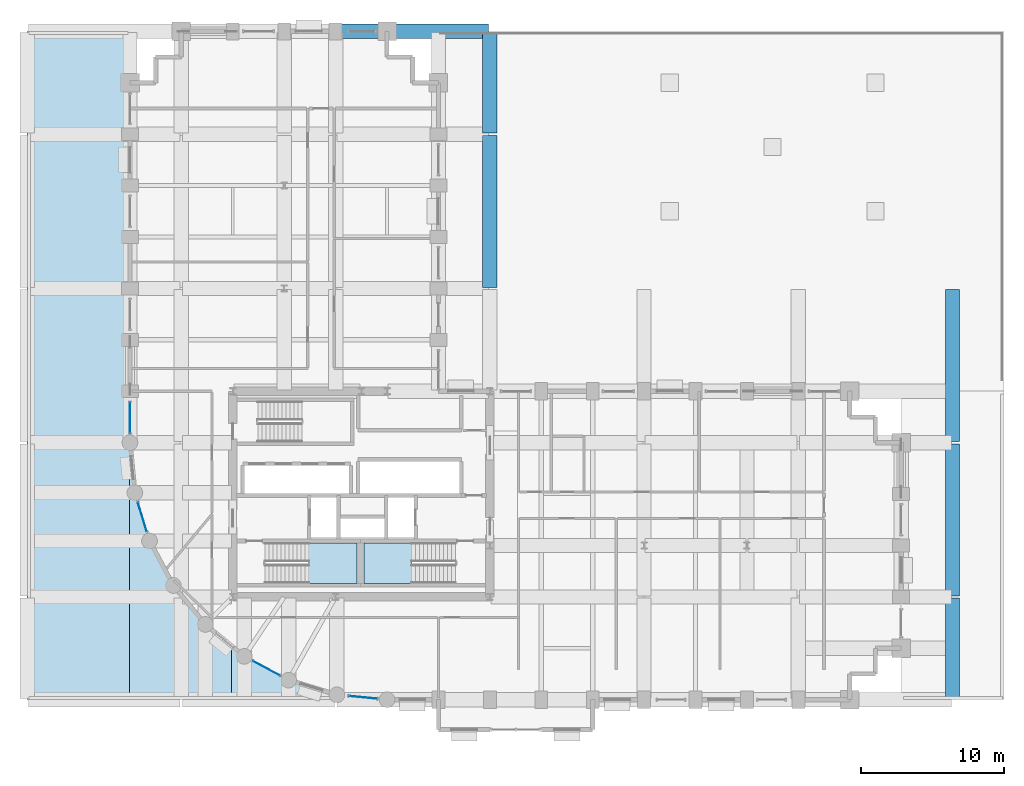
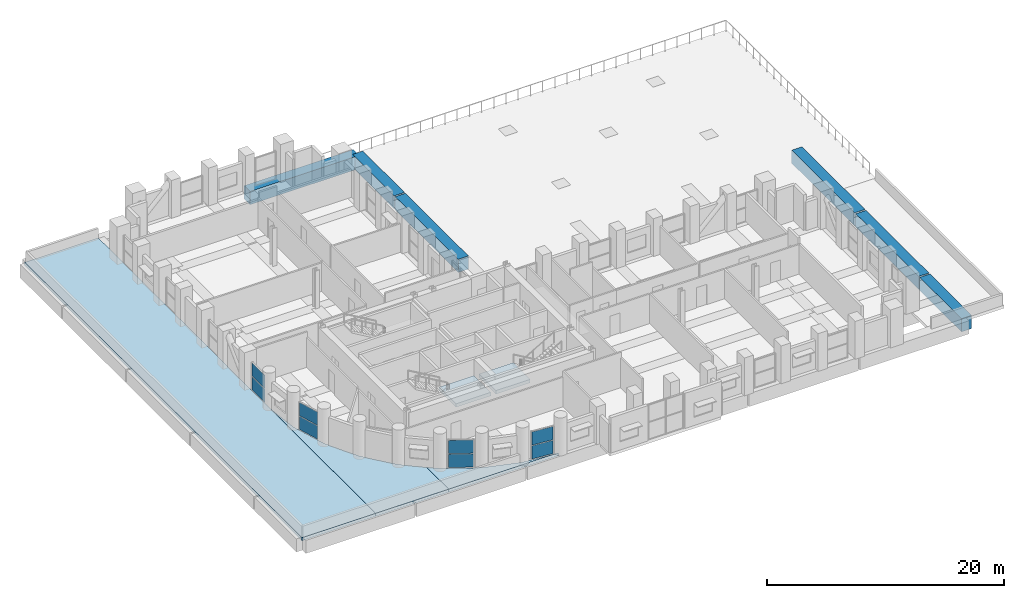
# One storey, part 30 of 39: 8 plates, 6 beams, 5 slabs, 6 elements without a shape of their own.
"""IFC4 building model written with IfcOpenShell, lengths in metres."""

from ifc_helpers import new_model, si_unit, direction, frame, origin, origin_2d, place, context, subcontext, project, spatial, polyline, rectangle, outline, extrude, material, layer, layer_set, material_profile, profile_set, type_object, element, aggregate, save


model = new_model("IFC4")

# Units and contexts
model_context = context("Model", 3, precision=1e-05, world=origin(), true_north=direction((0.0, 1.0)))
body_context = subcontext(model_context, "Body", "Model", "MODEL_VIEW")
ifc_project = project(units=[si_unit("LENGTHUNIT", "METRE"), si_unit("AREAUNIT", "SQUARE_METRE"), si_unit("VOLUMEUNIT", "CUBIC_METRE"), si_unit("PLANEANGLEUNIT", "RADIAN"), si_unit("MASSUNIT", "GRAM", prefix="KILO")], contexts=[model_context])

# Site, building, storey
site_placement = place(None, origin())
site = spatial("IfcSite", under=ifc_project, at=site_placement, CompositionType="ELEMENT")
building_placement = place(site_placement, origin())
building = spatial("IfcBuilding", under=site, at=building_placement, Name="Solnavia Interchange Tower", CompositionType="ELEMENT")
storey_placement = place(building_placement, frame((0.0, 0.0, 24.0)))
storey = spatial("IfcBuildingStorey", under=building, at=storey_placement, Name="L05", CompositionType="ELEMENT", Elevation=24.0)

# Beams
ifc_material_1 = material(Name="Concrete C60/75", Category="concrete")
ifc_material_profile = material_profile(ifc_material_1, rectangle(XDim=1.0, YDim=1.35009765625, at=origin_2d()), Name="RC 1000x1350")
ifc_profile_set = profile_set([ifc_material_profile], Name="Concrete C60/75")
beam_type = type_object("IfcBeamType", Name="Beam-Transfer-RC1000x1350", PredefinedType="BEAM", material=ifc_profile_set)
for number, where, z_axis, x_axis, name in (
    (1, (21.679931640625, 50.39990234375, -0.675048828125), (1.0, 0.0, 0.0), (0.0, 1.0, 0.0), "TRB-L05-29 North primary transfer girder"),
    (2, (32.39990234375, 32.47998046875, -0.675048828125), (0.0, 1.0, 0.0), (-1.0, 0.0, 0.0), "TRB-L05-44 North-east N-S primary transfer girder"),
):
    element("IfcBeam", number, at=place(storey_placement, frame(where, z_axis=z_axis, x_axis=x_axis)), inside=storey, type_object=beam_type, Name=name, PredefinedType="BEAM", context=body_context, shape_type="SweptSolid", body=[
        extrude(rectangle(XDim=1.0, YDim=1.35009765625, at=origin_2d()), origin(), (0.0, 0.0, 1.0), 10.64013671875),
    ])
for number, where, z_axis, x_axis, name in (
    (3, (32.39990234375, 43.280029296875, -0.675048828125), (0.0, 1.0, 0.0), (-1.0, 0.0, 0.0), "TRB-L05-45 North-east N-S primary transfer girder"),
    (4, (64.800048828125, 3.679931640625, -0.675048828125), (0.0, 1.0, 0.0), (-1.0, 0.0, 0.0), "TRB-L05-52 East N-S primary transfer girder"),
):
    element("IfcBeam", number, at=place(storey_placement, frame(where, z_axis=z_axis, x_axis=x_axis)), inside=storey, type_object=beam_type, Name=name, PredefinedType="BEAM", context=body_context, shape_type="SweptSolid", body=[
        extrude(rectangle(XDim=1.0, YDim=1.35009765625, at=origin_2d()), origin(), (0.0, 0.0, 1.0), 7.0400390625),
    ])
for number, where, z_axis, x_axis, name in (
    (5, (64.800048828125, 10.8798828125, -0.675048828125), (0.0, 1.0, 0.0), (-1.0, 0.0, 0.0), "TRB-L05-53 East N-S primary transfer girder"),
    (6, (64.800048828125, 21.679931640625, -0.675048828125), (0.0, 1.0, 0.0), (-1.0, 0.0, 0.0), "TRB-L05-54 East N-S primary transfer girder"),
):
    element("IfcBeam", number, at=place(storey_placement, frame(where, z_axis=z_axis, x_axis=x_axis)), inside=storey, type_object=beam_type, Name=name, PredefinedType="BEAM", context=body_context, shape_type="SweptSolid", body=[
        extrude(rectangle(XDim=1.0, YDim=1.35009765625, at=origin_2d()), origin(), (0.0, 0.0, 1.0), 10.64013671875),
    ])

# Curtain wall, plates
ifc_material_2 = material(Name="Aluminium Alloy 6063-T6", Category="aluminium")
ifc_layer_1 = layer(ifc_material_2, 0.219970703125)
ifc_layer_set_1 = layer_set([ifc_layer_1], Name="Aluminium Alloy 6063-T6")
curtain_wall_type = type_object("IfcCurtainWallType", Name="CurtainWall-Tower-CTW3", PredefinedType="NOTDEFINED", material=ifc_layer_set_1)
curtain_wall_1_placement = place(storey_placement, origin())
curtain_wall_1 = element("IfcCurtainWall", 7, at=curtain_wall_1_placement, inside=storey, type_object=curtain_wall_type, Name="CTW-L05-S56 CTW-3 curtain wall", PredefinedType="NOTDEFINED")
ifc_material_3 = material(Name="Double-Glazed Low-E IGU Glass", Category="glass")
ifc_layer_2 = layer(ifc_material_3, 0.02587890625)
ifc_layer_set_2 = layer_set([ifc_layer_2], Name="Double-Glazed Low-E IGU Glass")
plate_type = type_object("IfcPlateType", Name="CW-Panel-LowE-26", PredefinedType="CURTAIN_PANEL", material=ifc_layer_set_2)
plate_1_placement = place(storey_placement, frame((7.199951171875, 23.375, 0.06494140625), z_axis=(0.0, 0.0, 1.0), x_axis=(0.0, -1.0, 0.0)))
plate_1 = element("IfcPlate", 8, at=plate_1_placement, type_object=plate_type, Name="CTW-3 panel 1.1", PredefinedType="CURTAIN_PANEL", context=body_context, shape_type="SweptSolid", body=[
    extrude(rectangle(XDim=2.139892578125, YDim=0.02587890625, at=origin_2d()), origin(), (0.0, 0.0, 1.0), 1.367431640625),
])
plate_2_placement = place(storey_placement, frame((7.199951171875, 23.375, 1.49755859375), z_axis=(0.0, 0.0, 1.0), x_axis=(0.0, -1.0, 0.0)))
plate_2 = element("IfcPlate", 9, at=plate_2_placement, type_object=plate_type, Name="CTW-3 panel 1.2", PredefinedType="CURTAIN_PANEL", context=body_context, shape_type="SweptSolid", body=[
    extrude(rectangle(XDim=2.139892578125, YDim=0.02587890625, at=origin_2d()), origin(), (0.0, 0.0, 1.0), 1.367431640625),
])
aggregate(curtain_wall_1, [plate_1, plate_2])

curtain_wall_2_placement = place(storey_placement, origin())
curtain_wall_2 = element("IfcCurtainWall", 10, at=curtain_wall_2_placement, inside=storey, type_object=curtain_wall_type, Name="CTW-L05-S58 CTW-3 curtain wall", PredefinedType="NOTDEFINED")
plate_3_placement = place(storey_placement, frame((8.05810546875, 16.39990234375, 0.06494140625), z_axis=(0.0, 0.0, 1.0), x_axis=(0.29028027886, -0.95694166996, 0.0)))
plate_3 = element("IfcPlate", 11, at=plate_3_placement, type_object=plate_type, Name="CTW-3 panel 1.1", PredefinedType="CURTAIN_PANEL", context=body_context, shape_type="SweptSolid", body=[
    extrude(rectangle(XDim=2.117919921875, YDim=0.02587890625, at=origin_2d()), origin(), (0.0, 0.0, 1.0), 1.367431640625),
])
plate_4_placement = place(storey_placement, frame((8.05810546875, 16.39990234375, 1.49755859375), z_axis=(0.0, 0.0, 1.0), x_axis=(0.29028027886, -0.95694166996, 0.0)))
plate_4 = element("IfcPlate", 12, at=plate_4_placement, type_object=plate_type, Name="CTW-3 panel 1.2", PredefinedType="CURTAIN_PANEL", context=body_context, shape_type="SweptSolid", body=[
    extrude(rectangle(XDim=2.117919921875, YDim=0.02587890625, at=origin_2d()), origin(), (0.0, 0.0, 1.0), 1.367431640625),
])
aggregate(curtain_wall_2, [plate_3, plate_4])

curtain_wall_3_placement = place(storey_placement, origin())
curtain_wall_3 = element("IfcCurtainWall", 13, at=curtain_wall_3_placement, inside=storey, type_object=curtain_wall_type, Name="CTW-L05-S62 CTW-3 curtain wall", PredefinedType="NOTDEFINED")
plate_5_placement = place(storey_placement, frame((16.756103515625, 5.802001953125, 0.06494140625), z_axis=(0.0, 0.0, 1.0), x_axis=(0.881837729314, -0.471552986585, 0.0)))
plate_5 = element("IfcPlate", 14, at=plate_5_placement, type_object=plate_type, Name="CTW-3 panel 1.1", PredefinedType="CURTAIN_PANEL", context=body_context, shape_type="SweptSolid", body=[
    extrude(rectangle(XDim=2.118896484375, YDim=0.02587890625, at=origin_2d()), origin(), (0.0, 0.0, 1.0), 1.367431640625),
])
plate_6_placement = place(storey_placement, frame((16.756103515625, 5.802001953125, 1.49755859375), z_axis=(0.0, 0.0, 1.0), x_axis=(0.881837729314, -0.471552986585, 0.0)))
plate_6 = element("IfcPlate", 15, at=plate_6_placement, type_object=plate_type, Name="CTW-3 panel 1.2", PredefinedType="CURTAIN_PANEL", context=body_context, shape_type="SweptSolid", body=[
    extrude(rectangle(XDim=2.118896484375, YDim=0.02587890625, at=origin_2d()), origin(), (0.0, 0.0, 1.0), 1.367431640625),
])
aggregate(curtain_wall_3, [plate_5, plate_6])

curtain_wall_4_placement = place(storey_placement, origin())
curtain_wall_4 = element("IfcCurtainWall", 16, at=curtain_wall_4_placement, inside=storey, type_object=curtain_wall_type, Name="CTW-L05-S64 CTW-3 curtain wall", PredefinedType="NOTDEFINED")
plate_7_placement = place(storey_placement, frame((23.516845703125, 3.765869140625, 0.06494140625), z_axis=(0.0, 0.0, 1.0), x_axis=(0.995183718955, -0.098027371316, 0.0)))
plate_7 = element("IfcPlate", 17, at=plate_7_placement, type_object=plate_type, Name="CTW-3 panel 1.1", PredefinedType="CURTAIN_PANEL", context=body_context, shape_type="SweptSolid", body=[
    extrude(rectangle(XDim=1.97265625, YDim=0.02587890625, at=origin_2d()), origin(), (0.0, 0.0, 1.0), 1.367431640625),
])
plate_8_placement = place(storey_placement, frame((23.516845703125, 3.765869140625, 1.49755859375), z_axis=(0.0, 0.0, 1.0), x_axis=(0.995183718955, -0.098027371316, 0.0)))
plate_8 = element("IfcPlate", 18, at=plate_8_placement, type_object=plate_type, Name="CTW-3 panel 1.2", PredefinedType="CURTAIN_PANEL", context=body_context, shape_type="SweptSolid", body=[
    extrude(rectangle(XDim=1.97265625, YDim=0.02587890625, at=origin_2d()), origin(), (0.0, 0.0, 1.0), 1.367431640625),
])
aggregate(curtain_wall_4, [plate_7, plate_8])

# Slabs
ifc_material_4 = material(Name="Concrete C40/50", Category="concrete")
ifc_layer_3 = layer(ifc_material_4, 0.300048828125)
ifc_layer_set_3 = layer_set([ifc_layer_3], Name="Concrete C40/50")
slab_type_1 = type_object("IfcSlabType", Name="Slab-Roof-300", PredefinedType="ROOF", material=ifc_layer_set_3)
slab_1_placement = place(storey_placement, frame((0.0, 0.0, -0.300048828125)))
element("IfcSlab", 19, at=slab_1_placement, inside=storey, type_object=slab_type_1, Name="ROF-L05-02 Podium main roof deck slab", PredefinedType="ROOF", context=body_context, shape_type="SweptSolid", body=[
    extrude(outline(polyline([(0.0, 50.39990234375), (7.179931640625, 50.39990234375), (7.179931640625, 3.60009765625), (0.0, 3.60009765625), (0.0, 50.39990234375)])), origin(), (0.0, 0.0, 1.0), 0.300048828125),
])
slab_2_placement = place(storey_placement, frame((0.0, 0.0, -0.300048828125)))
element("IfcSlab", 20, at=slab_2_placement, inside=storey, type_object=slab_type_1, Name="ROF-L05-04 Podium main roof deck slab", PredefinedType="ROOF", context=body_context, shape_type="SweptSolid", body=[
    extrude(outline(polyline([(7.52587890625, 18.083984375), (8.551025390625, 14.7041015625), (10.217041015625, 11.589111328125), (12.4580078125, 8.85791015625), (14.300048828125, 7.345947265625), (14.300048828125, 3.60009765625), (7.179931640625, 3.60009765625), (7.179931640625, 21.580078125), (7.181884765625, 21.580078125), (7.52587890625, 18.083984375)])), origin(), (0.0, 0.0, 1.0), 0.300048828125),
])
slab_3_placement = place(storey_placement, frame((0.0, 0.0, -0.300048828125)))
element("IfcSlab", 21, at=slab_3_placement, inside=storey, type_object=slab_type_1, Name="ROF-L05-05 Podium main roof deck slab", PredefinedType="ROOF", context=body_context, shape_type="SweptSolid", body=[
    extrude(outline(polyline([(15.18896484375, 6.616943359375), (18.303955078125, 4.950927734375), (21.68408203125, 3.926025390625), (24.99609375, 3.60009765625), (14.300048828125, 3.60009765625), (14.300048828125, 7.345947265625), (15.18896484375, 6.616943359375)])), origin(), (0.0, 0.0, 1.0), 0.300048828125),
])

# Stair, slab
stair_type = type_object("IfcStairType", Name="Stair-Dogleg-RC", PredefinedType="HALF_TURN_STAIR", material=ifc_material_4)
stair_1_placement = place(storey_placement, origin())
stair_1 = element("IfcStair", 22, at=stair_1_placement, inside=storey, type_object=stair_type, Name="L05 Core exit stair 1", PredefinedType="HALF_TURN_STAIR")
ifc_layer_4 = layer(ifc_material_4, 0.35009765625)
ifc_layer_set_4 = layer_set([ifc_layer_4], Name="Concrete C40/50")
slab_type_2 = type_object("IfcSlabType", Name="Slab-StairLanding-350", PredefinedType="LANDING", material=ifc_layer_set_4)
slab_4_placement = place(storey_placement, frame((0.0, 0.0, 1.60009765625)))
slab_4 = element("IfcSlab", 23, at=slab_4_placement, type_object=slab_type_2, Name="ST-1 landing 1", PredefinedType="LANDING", context=body_context, shape_type="SweptSolid", body=[
    extrude(outline(polyline([(19.7080078125, 11.75), (23.10009765625, 11.75), (23.10009765625, 14.590087890625), (19.7080078125, 14.590087890625), (19.7080078125, 11.75)])), origin(), (0.0, 0.0, 1.0), 0.349853515625),
])
aggregate(stair_1, [slab_4])

stair_2_placement = place(storey_placement, origin())
stair_2 = element("IfcStair", 24, at=stair_2_placement, inside=storey, type_object=stair_type, Name="L05 Core exit stair 2", PredefinedType="HALF_TURN_STAIR")
slab_5_placement = place(storey_placement, frame((0.0, 0.0, 1.60009765625)))
slab_5 = element("IfcSlab", 25, at=slab_5_placement, type_object=slab_type_2, Name="ST-2 landing 1", PredefinedType="LANDING", context=body_context, shape_type="SweptSolid", body=[
    extrude(outline(polyline([(23.60009765625, 11.75), (26.94189453125, 11.75), (26.94189453125, 14.590087890625), (23.60009765625, 14.590087890625), (23.60009765625, 11.75)])), origin(), (0.0, 0.0, 1.0), 0.349853515625),
])
aggregate(stair_2, [slab_5])

save(model, "model.ifc")
